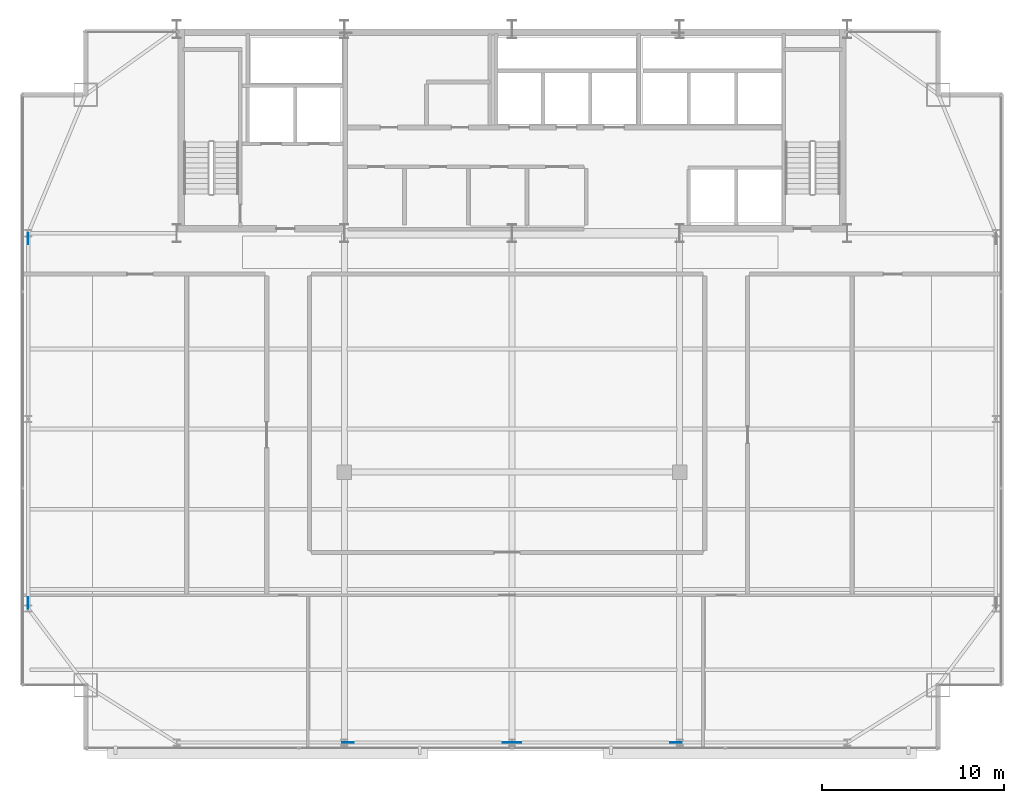
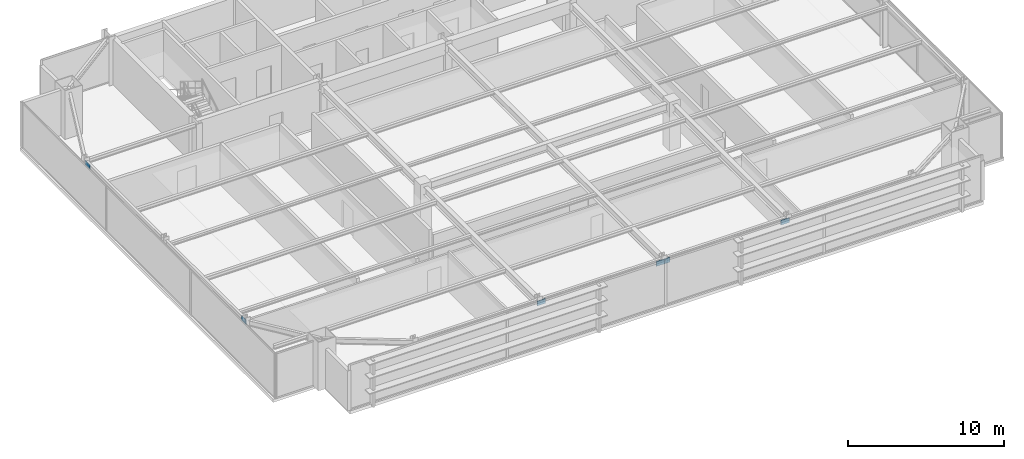
# One storey, part 23 of 29: 6 plates.
"""IFC4 building model written with IfcOpenShell, lengths in metres."""

from ifc_helpers import new_model, si_unit, direction, frame, origin, origin_2d, place, context, subcontext, project, spatial, rectangle, extrude, source, transform, mapped, material, layer, layer_set, type_object, type_shapes, element, save


model = new_model("IFC4")

# Units and contexts
model_context = context("Model", 3, precision=1e-05, world=origin(), true_north=direction((0.0, 1.0)))
body_context = subcontext(model_context, "Body", "Model", "MODEL_VIEW")
ifc_project = project(units=[si_unit("LENGTHUNIT", "METRE"), si_unit("AREAUNIT", "SQUARE_METRE"), si_unit("VOLUMEUNIT", "CUBIC_METRE"), si_unit("PLANEANGLEUNIT", "RADIAN"), si_unit("MASSUNIT", "GRAM", prefix="KILO")], contexts=[model_context])

# Site, building, storey
site_placement = place(None, origin())
site = spatial("IfcSite", under=ifc_project, at=site_placement, CompositionType="ELEMENT")
building_placement = place(site_placement, origin())
building = spatial("IfcBuilding", under=site, at=building_placement, Name="Varnel Quay Broadcast Tower", CompositionType="ELEMENT")
storey_placement = place(building_placement, frame((0.0, 0.0, 172.39990234375)))
storey = spatial("IfcBuildingStorey", under=building, at=storey_placement, Name="L42", CompositionType="ELEMENT", Elevation=172.39990234375)

# Plates
ifc_material = material(Name="Structural Steel CSA G40.21 350WT", Category="steel")
ifc_layer = layer(ifc_material, 0.031982421875, Name="Structural Steel CSA G40.21 350WT")
ifc_layer_set = layer_set([ifc_layer], Name="Structural Steel CSA G40.21 350WT")
plate_type = type_object("IfcPlateType", Name="Plate_EndCap", PredefinedType="USERDEFINED", material=ifc_layer_set)
shared_shape = source(origin(), body_context, "Body", "SweptSolid", [
    extrude(rectangle(XDim=0.6201171875, YDim=0.031982421875, at=origin_2d()), origin(), (0.0, 0.0, 1.0), 0.3798828125),
])
type_shapes(plate_type, [shared_shape])
for number, where, z_axis, x_axis, name in (
    (1, (33.800537109375, 7.64990234375, 3.016845703125), (0.0, 0.0, 1.0), (1.0, 0.0, 0.0), "Zone 3 Mega-Brace S-C1T2 Diag A End Connection Plate P1"),
    (2, (24.99951171875, 7.64990234375, 3.016845703125), (0.0, 0.0, 1.0), (1.0, 0.0, 0.0), "Zone 3 Mega-Brace S-C1T2 Diag B2 End Connection Plate P1"),
    (3, (43.00048828125, 7.64990234375, 3.016845703125), (0.0, 0.0, 1.0), (1.0, 0.0, 0.0), "Zone 3 Mega-Brace S-C2T2 Diag A End Connection Plate P1"),
    (4, (34.199462890625, 7.64990234375, 3.016845703125), (0.0, 0.0, 1.0), (1.0, 0.0, 0.0), "Zone 3 Mega-Brace S-C2T2 Diag B2 End Connection Plate P1"),
    (5, (7.449951171875, 35.292236328125, 3.117431640625), (0.0, 0.0, 1.0), (0.0, 1.0, 0.0), "Zone 3 Mega-Brace W-FT2 Diag A End Connection Plate P1"),
    (6, (7.449951171875, 15.307861328125, 3.117431640625), (0.0, 0.0, 1.0), (0.0, 1.0, 0.0), "Zone 3 Mega-Brace W-FT2 Diag B2 End Connection Plate P1"),
):
    element("IfcPlate", number, at=place(storey_placement, frame(where, z_axis=z_axis, x_axis=x_axis)), inside=storey, type_object=plate_type, Name=name, ObjectType="CAP_PLATE", PredefinedType="USERDEFINED", context=body_context, shape_type="MappedRepresentation", body=[
        mapped(shared_shape, transform((0.0, 0.0, 0.0), x_axis=(1.0, 0.0, 0.0), y_axis=(0.0, 1.0, 0.0), z_axis=(0.0, 0.0, 1.0), scale=1.0)),
    ])

save(model, "model.ifc")
